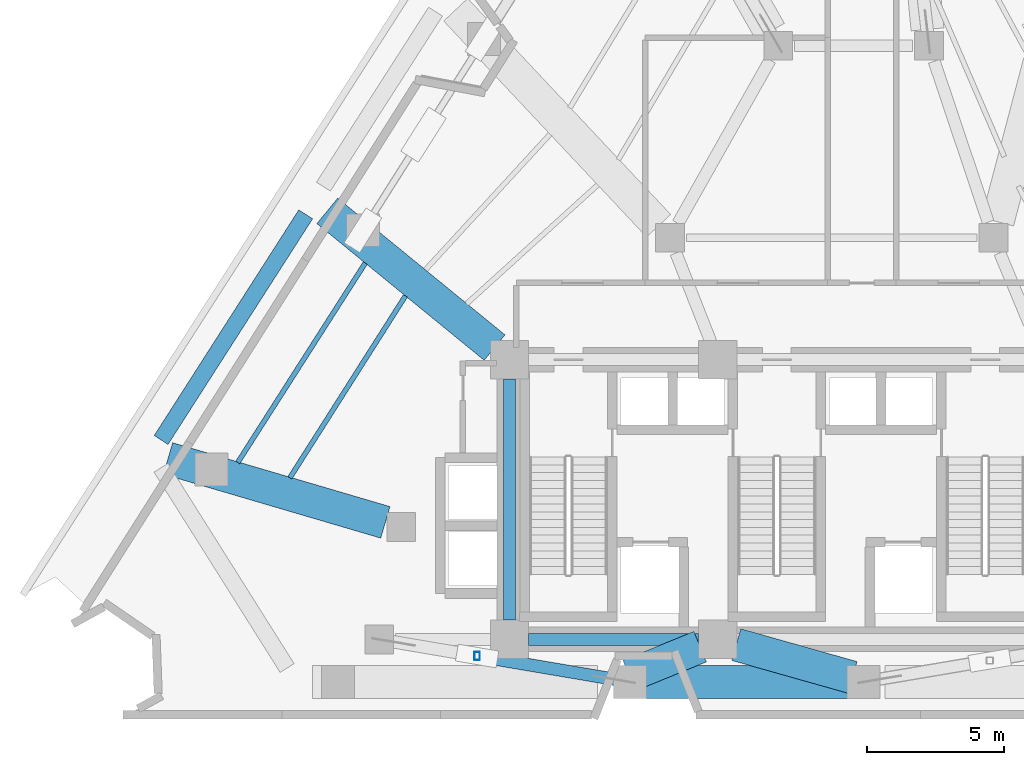
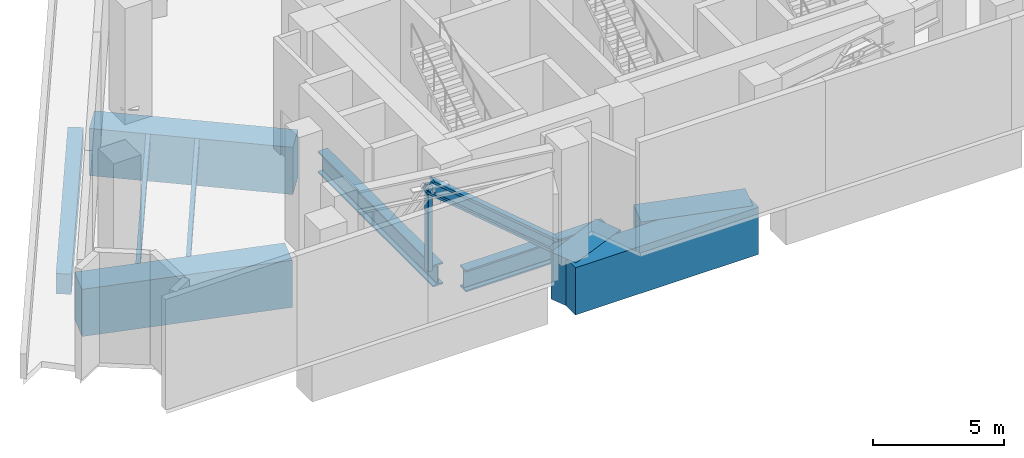
# One storey, part 2 of 9: 10 beams, 2 members.
"""IFC4 building model written with IfcOpenShell, lengths in metres."""

from ifc_helpers import new_model, si_unit, direction, frame, origin, origin_2d, place, context, subcontext, project, spatial, rectangle, hollow_rectangle, i_section, extrude, material, material_profile, profile_set, type_object, element, save


model = new_model("IFC4")

# Units and contexts
model_context = context("Model", 3, precision=1e-05, world=origin(), true_north=direction((0.0, 1.0)))
body_context = subcontext(model_context, "Body", "Model", "MODEL_VIEW")
ifc_project = project(units=[si_unit("LENGTHUNIT", "METRE"), si_unit("AREAUNIT", "SQUARE_METRE"), si_unit("VOLUMEUNIT", "CUBIC_METRE"), si_unit("PLANEANGLEUNIT", "RADIAN"), si_unit("MASSUNIT", "GRAM", prefix="KILO")], contexts=[model_context])

# Site, building, storey
site_placement = place(None, origin())
site = spatial("IfcSite", under=ifc_project, at=site_placement, CompositionType="ELEMENT")
building_placement = place(site_placement, origin())
building = spatial("IfcBuilding", under=site, at=building_placement, Name="Almagre Mirador Tower", CompositionType="ELEMENT")
storey_placement = place(building_placement, frame((0.0, 0.0, 105.0)))
storey = spatial("IfcBuildingStorey", under=building, at=storey_placement, Name="L26", CompositionType="ELEMENT", Elevation=105.0)

# Beams
ifc_material_1 = material(Name="Steel ASTM A992 Grade 50", Category="steel")
ifc_material_profile_1 = material_profile(ifc_material_1, i_section(OverallWidth=0.178955078125, OverallDepth=0.408935546875, WebThickness=0.0087890625, FlangeThickness=0.014404296875, FilletRadius=0.013916015625, at=origin_2d()), Name="W16X45")
ifc_profile_set_1 = profile_set([ifc_material_profile_1], Name="Steel ASTM A992 Grade 50")
beam_type_1 = type_object("IfcBeamType", Name="BM-JST-W16X45", PredefinedType="JOIST", material=ifc_profile_set_1)
beam_1_placement = place(storey_placement, frame((22.291748046875, 18.276123046875, -0.50439453125), z_axis=(-0.538678152539, -0.842511630767, 0.0), x_axis=(0.842511630767, -0.538678152539, 0.0)))
element("IfcBeam", 1, at=beam_1_placement, inside=storey, type_object=beam_type_1, Name="L26 secondary floor joist PC11-PC12.1", PredefinedType="JOIST", context=body_context, shape_type="SweptSolid", body=[
    extrude(i_section(OverallWidth=0.178955078125, OverallDepth=0.408935546875, WebThickness=0.0087890625, FlangeThickness=0.014404296875, FilletRadius=0.013916015625, at=origin_2d()), origin(), (0.0, 0.0, 1.0), 8.634765625),
])
beam_2_placement = place(storey_placement, frame((23.757568359375, 17.0791015625, -0.50439453125), z_axis=(-0.536292655741, -0.844032100929, 0.0), x_axis=(0.844032100929, -0.536292655741, 0.0)))
element("IfcBeam", 2, at=beam_2_placement, inside=storey, type_object=beam_type_1, Name="L26 secondary floor joist PC11-PC12.2", PredefinedType="JOIST", context=body_context, shape_type="SweptSolid", body=[
    extrude(i_section(OverallWidth=0.178955078125, OverallDepth=0.408935546875, WebThickness=0.0087890625, FlangeThickness=0.014404296875, FilletRadius=0.013916015625, at=origin_2d()), origin(), (0.0, 0.0, 1.0), 7.862060546875),
])
ifc_material_2 = material(Name="Precast concrete C50/60", Category="concrete")
ifc_material_profile_2 = material_profile(ifc_material_2, rectangle(XDim=0.60009765625, YDim=0.949951171875, at=origin_2d()), Name="RC600X950")
ifc_profile_set_2 = profile_set([ifc_material_profile_2], Name="Precast concrete C50/60")
beam_type_2 = type_object("IfcBeamType", Name="BM-SPN-RC600X950", PredefinedType="SPANDREL", material=ifc_profile_set_2)
beam_3_placement = place(storey_placement, frame((20.118408203125, 20.0517578125, -0.77490234375), z_axis=(-0.539476801219, -0.842000463745, 0.0), x_axis=(0.842000463745, -0.539476801219, 0.0)))
element("IfcBeam", 3, at=beam_3_placement, inside=storey, type_object=beam_type_2, Name="L26 perimeter spandrel beam PC11-PC12", PredefinedType="SPANDREL", context=body_context, shape_type="SweptSolid", body=[
    extrude(rectangle(XDim=0.60009765625, YDim=0.949951171875, at=origin_2d()), origin(), (0.0, 0.0, 1.0), 9.773681640625),
])
ifc_material_3 = material(Name="Steel ASTM A992 Grade 50", Category="steel")
ifc_material_profile_3 = material_profile(ifc_material_3, i_section(OverallWidth=0.43701171875, OverallDepth=1.010986328125, WebThickness=0.041015625, FlangeThickness=0.073974609375, FilletRadius=0.028076171875, at=origin_2d()), Name="W36X529")
ifc_profile_set_3 = profile_set([ifc_material_profile_3], Name="Steel ASTM A992 Grade 50")
beam_type_3 = type_object("IfcBeamType", Name="BM-STL-W36X529", PredefinedType="BEAM", material=ifc_profile_set_3)
beam_4_placement = place(storey_placement, frame((28.25, 4.550048828125, -0.805419921875), z_axis=(1.0, 0.0, 0.0), x_axis=(0.0, 1.0, 0.0)))
element("IfcBeam", 4, at=beam_4_placement, inside=storey, type_object=beam_type_3, Name="L26 core tie girder CC1-CC2", PredefinedType="BEAM", context=body_context, shape_type="SweptSolid", body=[
    extrude(i_section(OverallWidth=0.43701171875, OverallDepth=1.010986328125, WebThickness=0.041015625, FlangeThickness=0.073974609375, FilletRadius=0.028076171875, at=origin_2d()), origin(), (0.0, 0.0, 1.0), 6.199951171875),
])
beam_5_placement = place(storey_placement, frame((27.550048828125, 5.25, -0.805419921875), z_axis=(0.0, 1.0, 0.0), x_axis=(-1.0, 0.0, 0.0)))
element("IfcBeam", 5, at=beam_5_placement, inside=storey, type_object=beam_type_3, Name="L26 core tie girder CC1-CC4", PredefinedType="BEAM", context=body_context, shape_type="SweptSolid", body=[
    extrude(i_section(OverallWidth=0.43701171875, OverallDepth=1.010986328125, WebThickness=0.041015625, FlangeThickness=0.073974609375, FilletRadius=0.028076171875, at=origin_2d()), origin(), (0.0, 0.0, 1.0), 8.800048828125),
])
ifc_material_4 = material(Name="Concrete C60/75", Category="concrete")
ifc_material_profile_4 = material_profile(ifc_material_4, rectangle(XDim=1.199951171875, YDim=2.199951171875, at=origin_2d()), Name="RC1200X2200")
ifc_profile_set_4 = profile_set([ifc_material_profile_4], Name="Concrete C60/75")
beam_type_4 = type_object("IfcBeamType", Name="BM-XFER-RC1200X2200", PredefinedType="BEAM", material=ifc_profile_set_4)
beam_6_placement = place(storey_placement, frame((31.9599609375, 3.0, -1.39990234375), z_axis=(1.0, 0.0, 0.0), x_axis=(0.0, 1.0, 0.0)))
element("IfcBeam", 6, at=beam_6_placement, inside=storey, type_object=beam_type_4, Name="L26 perimeter spandrel beam PC02-PC03", PredefinedType="BEAM", context=body_context, shape_type="SweptSolid", body=[
    extrude(rectangle(XDim=1.199951171875, YDim=2.199951171875, at=origin_2d()), origin(), (0.0, 0.0, 1.0), 8.080078125),
])
beam_7_placement = place(storey_placement, frame((31.915283203125, 3.22705078125, -1.39990234375), z_axis=(0.925599823227, 0.378503589472, 0.0), x_axis=(-0.378503589472, 0.925599823227, 0.0)))
element("IfcBeam", 7, at=beam_7_placement, inside=storey, type_object=beam_type_4, Name="L26 radial transfer girder PC02-CC2", PredefinedType="BEAM", context=body_context, shape_type="SweptSolid", body=[
    extrude(rectangle(XDim=1.199951171875, YDim=2.199951171875, at=origin_2d()), origin(), (0.0, 0.0, 1.0), 2.794921875),
])
beam_8_placement = place(storey_placement, frame((40.0625, 3.1630859375, -1.39990234375), z_axis=(-0.962376859891, 0.271718198778, 0.0), x_axis=(-0.271718198778, -0.962376859891, 0.0)))
element("IfcBeam", 8, at=beam_8_placement, inside=storey, type_object=beam_type_4, Name="L26 radial transfer girder PC03-CC2", PredefinedType="BEAM", context=body_context, shape_type="SweptSolid", body=[
    extrude(rectangle(XDim=1.199951171875, YDim=2.199951171875, at=origin_2d()), origin(), (0.0, 0.0, 1.0), 4.404541015625),
])
beam_9_placement = place(storey_placement, frame((20.90673828125, 20.177490234375, -1.39990234375), z_axis=(0.774403065798, -0.632692572805, 0.0), x_axis=(0.632692572805, 0.774403065798, 0.0)))
element("IfcBeam", 9, at=beam_9_placement, inside=storey, type_object=beam_type_4, Name="L26 radial transfer girder PC11-CC4", PredefinedType="BEAM", context=body_context, shape_type="SweptSolid", body=[
    extrude(rectangle(XDim=1.199951171875, YDim=2.199951171875, at=origin_2d()), origin(), (0.0, 0.0, 1.0), 7.87841796875),
])
beam_10_placement = place(storey_placement, frame((15.09765625, 11.14794921875, -1.39990234375), z_axis=(0.959448747286, -0.281883134174, 0.0), x_axis=(0.281883134174, 0.959448747286, 0.0)))
element("IfcBeam", 10, at=beam_10_placement, inside=storey, type_object=beam_type_4, Name="L26 radial transfer girder PC12-MC10", PredefinedType="BEAM", context=body_context, shape_type="SweptSolid", body=[
    extrude(rectangle(XDim=1.199951171875, YDim=2.199951171875, at=origin_2d()), origin(), (0.0, 0.0, 1.0), 8.26171875),
])

# Members
ifc_material_5 = material(Name="Steel ASTM A913 Grade 65", Category="steel")
ifc_material_profile_5 = material_profile(ifc_material_5, i_section(OverallWidth=0.4541015625, OverallDepth=0.570068359375, WebThickness=0.077880859375, FlangeThickness=0.093994140625, FilletRadius=0.02001953125, at=origin_2d()), Name="W14X730")
ifc_profile_set_5 = profile_set([ifc_material_profile_5], Name="Steel ASTM A913 Grade 65")
member_type_1 = type_object("IfcMemberType", Name="MBR-BRC-W14X730", PredefinedType="BRACE", material=ifc_profile_set_5)
member_1_placement = place(storey_placement, frame((31.352294921875, 3.100341796875, 0.64990234375), z_axis=(-0.776252252455, 0.131556571701, 0.61654303094), x_axis=(-0.167093899773, -0.985940986398, 0.0)))
element("IfcMember", 11, at=member_1_placement, inside=storey, type_object=member_type_1, Name="L26 outrigger truss 1 diagonal 1", PredefinedType="BRACE", context=body_context, shape_type="SweptSolid", body=[
    extrude(i_section(OverallWidth=0.4541015625, OverallDepth=0.570068359375, WebThickness=0.077880859375, FlangeThickness=0.093994140625, FilletRadius=0.02001953125, at=origin_2d()), origin(), (0.0, 0.0, 1.0), 6.417236328125),
])
ifc_material_6 = material(Name="Steel ASTM A500 Grade C", Category="steel")
ifc_material_profile_6 = material_profile(ifc_material_6, hollow_rectangle(XDim=0.199951171875, YDim=0.300048828125, WallThickness=0.010009765625, InnerFilletRadius=0.010009765625, OuterFilletRadius=0.02001953125, at=origin_2d()), Name="HSS300X200X10")
ifc_profile_set_6 = profile_set([ifc_material_profile_6], Name="Steel ASTM A500 Grade C")
member_type_2 = type_object("IfcMemberType", Name="MBR-STR-HSS300", PredefinedType="STRUT", material=ifc_profile_set_6)
member_2_placement = place(storey_placement, frame((26.370849609375, 3.944580078125, 0.64990234375), z_axis=(0.0, 0.0, 1.0), x_axis=(1.0, 0.0, 0.0)))
element("IfcMember", 12, at=member_2_placement, inside=storey, type_object=member_type_2, Name="L26 outrigger vertical post strut 1.1", PredefinedType="STRUT", context=body_context, shape_type="SweptSolid", body=[
    extrude(hollow_rectangle(XDim=0.199951171875, YDim=0.300048828125, WallThickness=0.010009765625, InnerFilletRadius=0.010009765625, OuterFilletRadius=0.02001953125, at=origin_2d()), origin(), (0.0, 0.0, 1.0), 3.95654296875),
])

save(model, "model.ifc")
